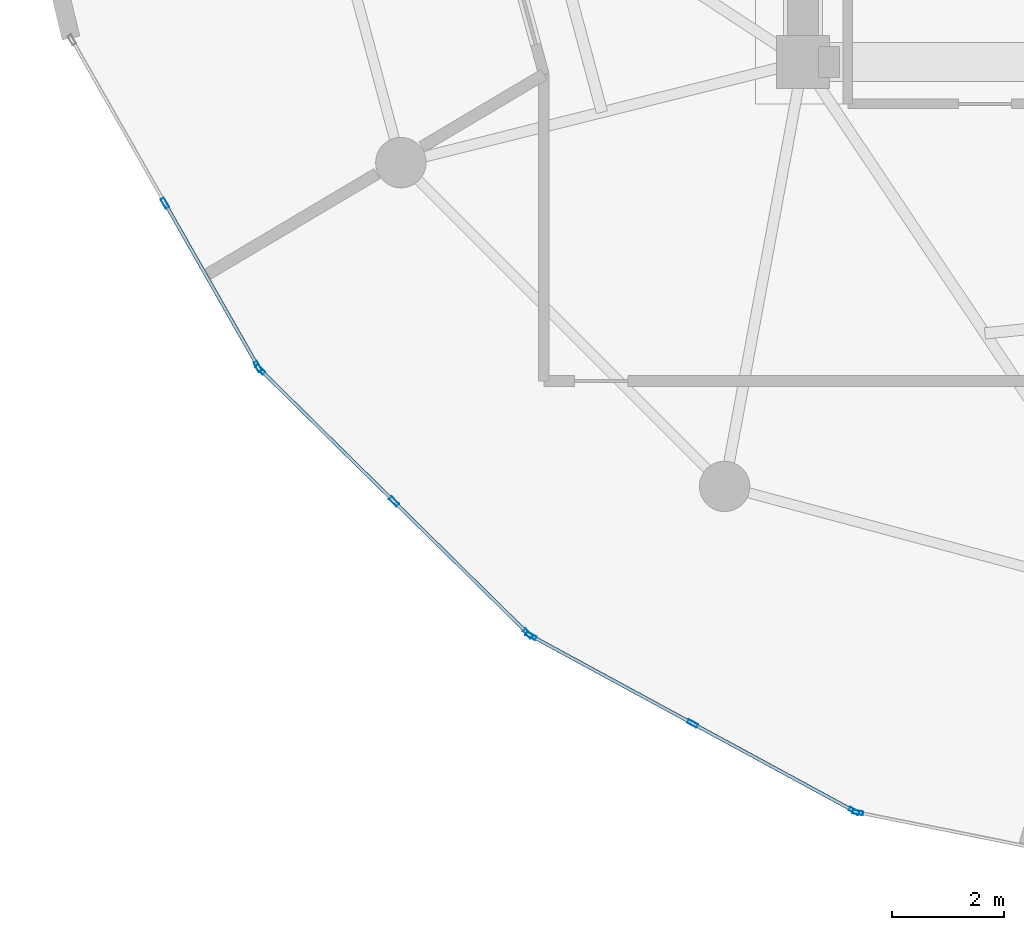
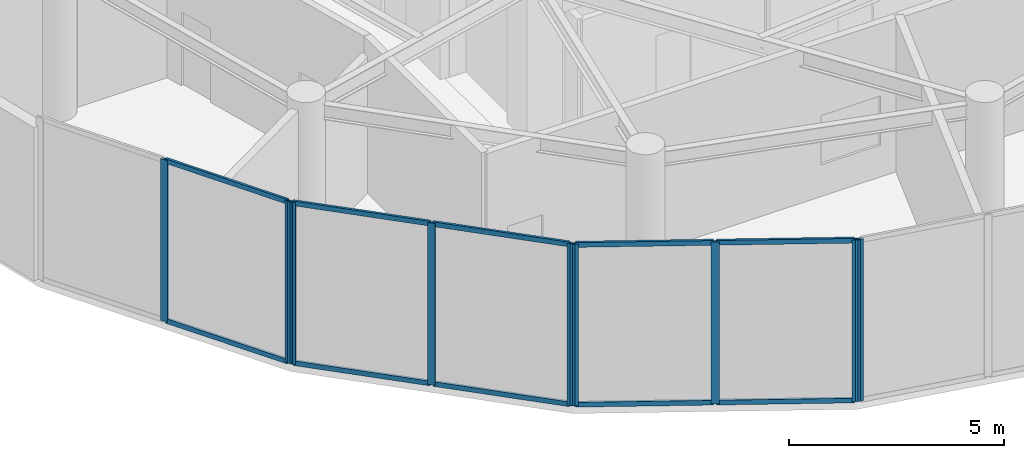
# One storey, part 2 of 23: 19 members, 4 elements without a shape of their own.
"""IFC4 building model written with IfcOpenShell, lengths in metres."""

from ifc_helpers import new_model, si_unit, direction, frame, origin, origin_2d, place, context, subcontext, project, spatial, hollow_rectangle, extrude, source, transform, mapped, material, layer, layer_set, material_profile, profile_set, type_object, element, aggregate, save


model = new_model("IFC4")

# Units and contexts
model_context = context("Model", 3, precision=1e-05, world=origin(), true_north=direction((0.0, 1.0)))
body_context = subcontext(model_context, "Body", "Model", "MODEL_VIEW")
ifc_project = project(units=[si_unit("LENGTHUNIT", "METRE"), si_unit("AREAUNIT", "SQUARE_METRE"), si_unit("VOLUMEUNIT", "CUBIC_METRE"), si_unit("PLANEANGLEUNIT", "RADIAN"), si_unit("MASSUNIT", "GRAM", prefix="KILO")], contexts=[model_context])

# Site, building, storey
site_placement = place(None, origin())
site = spatial("IfcSite", under=ifc_project, at=site_placement, CompositionType="ELEMENT")
building_placement = place(site_placement, origin())
building = spatial("IfcBuilding", under=site, at=building_placement, Name="Solvirekh Grand Hotel", CompositionType="ELEMENT")
storey_placement = place(building_placement, frame((0.0, 0.0, 168.60009765625)))
storey = spatial("IfcBuildingStorey", under=building, at=storey_placement, Name="L43", CompositionType="ELEMENT", Elevation=168.60009765625)

# Curtain wall, members
ifc_material = material(Name="Anodized Bronze Aluminium 6063-T6", Category="aluminium")
ifc_layer = layer(ifc_material, 0.18994140625)
ifc_layer_set = layer_set([ifc_layer], Name="Anodized Bronze Aluminium 6063-T6")
curtain_wall_type = type_object("IfcCurtainWallType", Name="CW_Sys5_SkyLobbyPanoramaCW", PredefinedType="NOTDEFINED", material=ifc_layer_set)
curtain_wall_1_placement = place(storey_placement, origin())
curtain_wall_1 = element("IfcCurtainWall", 1, at=curtain_wall_1_placement, inside=storey, type_object=curtain_wall_type, Name="L43 unitised bronze-glass curtain wall CW-L43-C15", PredefinedType="NOTDEFINED")
ifc_material_profile_1 = material_profile(ifc_material, hollow_rectangle(XDim=0.070068359375, YDim=0.18994140625, WallThickness=0.0048828125, at=origin_2d()), Name="ALU RHS 190X70X5")
ifc_profile_set_1 = profile_set([ifc_material_profile_1], Name="Anodized Bronze Aluminium 6063-T6")
member_type_1 = type_object("IfcMemberType", Name="CWMullion_Sys5", PredefinedType="MULLION", material=ifc_profile_set_1)
shared_shape_1 = source(origin(), body_context, "Body", "SweptSolid", [
    extrude(hollow_rectangle(XDim=0.070068359375, YDim=0.18994140625, WallThickness=0.0048828125, at=origin_2d()), origin(), (0.0, 0.0, 1.0), 4.599853515625),
])
member_1_placement = place(storey_placement, frame((-17.89794921875, -8.62353515625, 0.0), z_axis=(0.0, 0.0, 1.0), x_axis=(0.869112493472, 0.494614469755, 0.0)))
member_1 = element("IfcMember", 2, at=member_1_placement, type_object=member_type_1, Name="U05 mullion 2", PredefinedType="MULLION", context=body_context, shape_type="MappedRepresentation", body=[
    mapped(shared_shape_1, transform((0.0, 0.0, 0.0), x_axis=(1.0, 0.0, 0.0), y_axis=(0.0, 1.0, 0.0), z_axis=(0.0, 0.0, 1.0), scale=1.0)),
])
member_2_placement = place(storey_placement, frame((-16.2373046875, -11.54150390625, 0.0), z_axis=(0.0, 0.0, 1.0), x_axis=(0.869112493472, 0.494614469755, 0.0)))
member_2 = element("IfcMember", 3, at=member_2_placement, type_object=member_type_1, Name="U05 mullion 3", PredefinedType="MULLION", context=body_context, shape_type="MappedRepresentation", body=[
    mapped(shared_shape_1, transform((0.0, 0.0, 0.0), x_axis=(1.0, 0.0, 0.0), y_axis=(0.0, 1.0, 0.0), z_axis=(0.0, 0.0, 1.0), scale=1.0)),
])

curtain_wall_2_placement = place(storey_placement, origin())
curtain_wall_2 = element("IfcCurtainWall", 4, at=curtain_wall_2_placement, inside=storey, type_object=curtain_wall_type, Name="L43 unitised bronze-glass curtain wall CW-L43-C16", PredefinedType="NOTDEFINED")
member_3_placement = place(storey_placement, frame((-16.195068359375, -11.5966796875, 0.0), z_axis=(0.0, 0.0, 1.0), x_axis=(0.702152075347, 0.712027010082, 0.0)))
member_3 = element("IfcMember", 5, at=member_3_placement, type_object=member_type_1, Name="U05 mullion 1", PredefinedType="MULLION", context=body_context, shape_type="MappedRepresentation", body=[
    mapped(shared_shape_1, transform((0.0, 0.0, 0.0), x_axis=(1.0, 0.0, 0.0), y_axis=(0.0, 1.0, 0.0), z_axis=(0.0, 0.0, 1.0), scale=1.0)),
])
member_4_placement = place(storey_placement, frame((-13.804443359375, -13.9541015625, 0.0), z_axis=(0.0, 0.0, 1.0), x_axis=(0.702152075347, 0.712027010082, 0.0)))
member_4 = element("IfcMember", 6, at=member_4_placement, type_object=member_type_1, Name="U05 mullion 2", PredefinedType="MULLION", context=body_context, shape_type="MappedRepresentation", body=[
    mapped(shared_shape_1, transform((0.0, 0.0, 0.0), x_axis=(1.0, 0.0, 0.0), y_axis=(0.0, 1.0, 0.0), z_axis=(0.0, 0.0, 1.0), scale=1.0)),
])
member_5_placement = place(storey_placement, frame((-11.413818359375, -16.3115234375, 0.0), z_axis=(0.0, 0.0, 1.0), x_axis=(0.702152075347, 0.712027010082, 0.0)))
member_5 = element("IfcMember", 7, at=member_5_placement, type_object=member_type_1, Name="U05 mullion 3", PredefinedType="MULLION", context=body_context, shape_type="MappedRepresentation", body=[
    mapped(shared_shape_1, transform((0.0, 0.0, 0.0), x_axis=(1.0, 0.0, 0.0), y_axis=(0.0, 1.0, 0.0), z_axis=(0.0, 0.0, 1.0), scale=1.0)),
])

curtain_wall_3_placement = place(storey_placement, origin())
curtain_wall_3 = element("IfcCurtainWall", 8, at=curtain_wall_3_placement, inside=storey, type_object=curtain_wall_type, Name="L43 unitised bronze-glass curtain wall CW-L43-C17", PredefinedType="NOTDEFINED")
member_6_placement = place(storey_placement, frame((-11.358154296875, -16.352783203125, 0.0), z_axis=(0.0, 0.0, 1.0), x_axis=(0.476855778012, 0.878981550988, 0.0)))
member_6 = element("IfcMember", 9, at=member_6_placement, type_object=member_type_1, Name="U05 mullion 1", PredefinedType="MULLION", context=body_context, shape_type="MappedRepresentation", body=[
    mapped(shared_shape_1, transform((0.0, 0.0, 0.0), x_axis=(1.0, 0.0, 0.0), y_axis=(0.0, 1.0, 0.0), z_axis=(0.0, 0.0, 1.0), scale=1.0)),
])
member_7_placement = place(storey_placement, frame((-8.471923828125, -17.91845703125, 0.0), z_axis=(0.0, 0.0, 1.0), x_axis=(0.476855778012, 0.878981550988, 0.0)))
member_7 = element("IfcMember", 10, at=member_7_placement, type_object=member_type_1, Name="U05 mullion 2", PredefinedType="MULLION", context=body_context, shape_type="MappedRepresentation", body=[
    mapped(shared_shape_1, transform((0.0, 0.0, 0.0), x_axis=(1.0, 0.0, 0.0), y_axis=(0.0, 1.0, 0.0), z_axis=(0.0, 0.0, 1.0), scale=1.0)),
])
member_8_placement = place(storey_placement, frame((-5.585693359375, -19.484375, 0.0), z_axis=(0.0, 0.0, 1.0), x_axis=(0.476855778012, 0.878981550988, 0.0)))
member_8 = element("IfcMember", 11, at=member_8_placement, type_object=member_type_1, Name="U05 mullion 3", PredefinedType="MULLION", context=body_context, shape_type="MappedRepresentation", body=[
    mapped(shared_shape_1, transform((0.0, 0.0, 0.0), x_axis=(1.0, 0.0, 0.0), y_axis=(0.0, 1.0, 0.0), z_axis=(0.0, 0.0, 1.0), scale=1.0)),
])

# Curtain wall, member
curtain_wall_4_placement = place(storey_placement, origin())
curtain_wall_4 = element("IfcCurtainWall", 12, at=curtain_wall_4_placement, inside=storey, type_object=curtain_wall_type, Name="L43 unitised bronze-glass curtain wall CW-L43-C18", PredefinedType="NOTDEFINED")
member_9_placement = place(storey_placement, frame((-5.520751953125, -19.5078125, 0.0), z_axis=(0.0, 0.0, 1.0), x_axis=(0.196748202622, 0.980454050308, 0.0)))
member_9 = element("IfcMember", 13, at=member_9_placement, type_object=member_type_1, Name="U05 mullion 1", PredefinedType="MULLION", context=body_context, shape_type="MappedRepresentation", body=[
    mapped(shared_shape_1, transform((0.0, 0.0, 0.0), x_axis=(1.0, 0.0, 0.0), y_axis=(0.0, 1.0, 0.0), z_axis=(0.0, 0.0, 1.0), scale=1.0)),
])
aggregate(curtain_wall_4, [member_9])

# Member
ifc_material_profile_2 = material_profile(ifc_material, hollow_rectangle(XDim=0.06005859375, YDim=0.135009765625, WallThickness=0.00390625, at=origin_2d()), Name="ALU RHS 135X60X4")
ifc_profile_set_2 = profile_set([ifc_material_profile_2], Name="Anodized Bronze Aluminium 6063-T6")
member_type_2 = type_object("IfcMemberType", Name="CWTransom_Sys5", PredefinedType="USERDEFINED", material=ifc_profile_set_2)
shared_shape_2 = source(origin(), body_context, "Body", "SweptSolid", [
    extrude(hollow_rectangle(XDim=0.06005859375, YDim=0.135009765625, WallThickness=0.00390625, at=origin_2d()), origin(), (0.0, 0.0, 1.0), 3.28759765625),
])
member_10_placement = place(storey_placement, frame((-17.880615234375, -8.65380859375, 0.02978515625), z_axis=(0.494570675555, -0.869137415419, 0.0), x_axis=(0.869137415419, 0.494570675555, 0.0)))
member_10 = element("IfcMember", 14, at=member_10_placement, type_object=member_type_2, Name="U05 transom 2.1", ObjectType="TRANSOM", PredefinedType="USERDEFINED", context=body_context, shape_type="MappedRepresentation", body=[
    mapped(shared_shape_2, transform((0.0, 0.0, 0.0), x_axis=(1.0, 0.0, 0.0), y_axis=(0.0, 1.0, 0.0), z_axis=(0.0, 0.0, 1.0), scale=1.0)),
])

member_11_placement = place(storey_placement, frame((-17.880615234375, -8.65380859375, 4.56982421875), z_axis=(0.494570675555, -0.869137415419, 0.0), x_axis=(0.869137415419, 0.494570675555, 0.0)))
member_11 = element("IfcMember", 15, at=member_11_placement, type_object=member_type_2, Name="U05 transom 2.2", ObjectType="TRANSOM", PredefinedType="USERDEFINED", context=body_context, shape_type="MappedRepresentation", body=[
    mapped(shared_shape_2, transform((0.0, 0.0, 0.0), x_axis=(1.0, 0.0, 0.0), y_axis=(0.0, 1.0, 0.0), z_axis=(0.0, 0.0, 1.0), scale=1.0)),
])

aggregate(curtain_wall_1, [member_1, member_2, member_10, member_11])

member_12_placement = place(storey_placement, frame((-16.170166015625, -11.62109375, 0.02978515625), z_axis=(0.712027986109, -0.702151085592, 0.0), x_axis=(0.702151085592, 0.712027986109, 0.0)))
member_12 = element("IfcMember", 16, at=member_12_placement, type_object=member_type_2, Name="U05 transom 1.1", ObjectType="TRANSOM", PredefinedType="USERDEFINED", context=body_context, shape_type="MappedRepresentation", body=[
    mapped(shared_shape_2, transform((0.0, 0.0, 0.0), x_axis=(1.0, 0.0, 0.0), y_axis=(0.0, 1.0, 0.0), z_axis=(0.0, 0.0, 1.0), scale=1.0)),
])

member_13_placement = place(storey_placement, frame((-16.170166015625, -11.62109375, 4.56982421875), z_axis=(0.712027986109, -0.702151085592, 0.0), x_axis=(0.702151085592, 0.712027986109, 0.0)))
member_13 = element("IfcMember", 17, at=member_13_placement, type_object=member_type_2, Name="U05 transom 1.2", ObjectType="TRANSOM", PredefinedType="USERDEFINED", context=body_context, shape_type="MappedRepresentation", body=[
    mapped(shared_shape_2, transform((0.0, 0.0, 0.0), x_axis=(1.0, 0.0, 0.0), y_axis=(0.0, 1.0, 0.0), z_axis=(0.0, 0.0, 1.0), scale=1.0)),
])

member_14_placement = place(storey_placement, frame((-13.779541015625, -13.978515625, 0.02978515625), z_axis=(0.712027986109, -0.702151085592, 0.0), x_axis=(0.702151085592, 0.712027986109, 0.0)))
member_14 = element("IfcMember", 18, at=member_14_placement, type_object=member_type_2, Name="U05 transom 2.1", ObjectType="TRANSOM", PredefinedType="USERDEFINED", context=body_context, shape_type="MappedRepresentation", body=[
    mapped(shared_shape_2, transform((0.0, 0.0, 0.0), x_axis=(1.0, 0.0, 0.0), y_axis=(0.0, 1.0, 0.0), z_axis=(0.0, 0.0, 1.0), scale=1.0)),
])

member_15_placement = place(storey_placement, frame((-13.779541015625, -13.978515625, 4.56982421875), z_axis=(0.712027986109, -0.702151085592, 0.0), x_axis=(0.702151085592, 0.712027986109, 0.0)))
member_15 = element("IfcMember", 19, at=member_15_placement, type_object=member_type_2, Name="U05 transom 2.2", ObjectType="TRANSOM", PredefinedType="USERDEFINED", context=body_context, shape_type="MappedRepresentation", body=[
    mapped(shared_shape_2, transform((0.0, 0.0, 0.0), x_axis=(1.0, 0.0, 0.0), y_axis=(0.0, 1.0, 0.0), z_axis=(0.0, 0.0, 1.0), scale=1.0)),
])

aggregate(curtain_wall_2, [member_3, member_4, member_5, member_12, member_13, member_14, member_15])

shared_shape_3 = source(origin(), body_context, "Body", "SweptSolid", [
    extrude(hollow_rectangle(XDim=0.06005859375, YDim=0.135009765625, WallThickness=0.00390625, at=origin_2d()), origin(), (0.0, 0.0, 1.0), 3.213623046875),
])
member_16_placement = place(storey_placement, frame((-11.327392578125, -16.369384765625, 0.02978515625), z_axis=(0.878976267463, -0.476865516929, 0.0), x_axis=(0.476865516929, 0.878976267463, 0.0)))
member_16 = element("IfcMember", 20, at=member_16_placement, type_object=member_type_2, Name="U05 transom 1.1", ObjectType="TRANSOM", PredefinedType="USERDEFINED", context=body_context, shape_type="MappedRepresentation", body=[
    mapped(shared_shape_3, transform((0.0, 0.0, 0.0), x_axis=(1.0, 0.0, 0.0), y_axis=(0.0, 1.0, 0.0), z_axis=(0.0, 0.0, 1.0), scale=1.0)),
])

member_17_placement = place(storey_placement, frame((-11.327392578125, -16.369384765625, 4.56982421875), z_axis=(0.878976267463, -0.476865516929, 0.0), x_axis=(0.476865516929, 0.878976267463, 0.0)))
member_17 = element("IfcMember", 21, at=member_17_placement, type_object=member_type_2, Name="U05 transom 1.2", ObjectType="TRANSOM", PredefinedType="USERDEFINED", context=body_context, shape_type="MappedRepresentation", body=[
    mapped(shared_shape_3, transform((0.0, 0.0, 0.0), x_axis=(1.0, 0.0, 0.0), y_axis=(0.0, 1.0, 0.0), z_axis=(0.0, 0.0, 1.0), scale=1.0)),
])

member_18_placement = place(storey_placement, frame((-8.441162109375, -17.935302734375, 0.02978515625), z_axis=(0.879008109869, -0.476806819147, 0.0), x_axis=(0.476806819147, 0.879008109869, 0.0)))
member_18 = element("IfcMember", 22, at=member_18_placement, type_object=member_type_2, Name="U05 transom 2.1", ObjectType="TRANSOM", PredefinedType="USERDEFINED", context=body_context, shape_type="MappedRepresentation", body=[
    mapped(shared_shape_3, transform((0.0, 0.0, 0.0), x_axis=(1.0, 0.0, 0.0), y_axis=(0.0, 1.0, 0.0), z_axis=(0.0, 0.0, 1.0), scale=1.0)),
])

member_19_placement = place(storey_placement, frame((-8.441162109375, -17.935302734375, 4.56982421875), z_axis=(0.879008109869, -0.476806819147, 0.0), x_axis=(0.476806819147, 0.879008109869, 0.0)))
member_19 = element("IfcMember", 23, at=member_19_placement, type_object=member_type_2, Name="U05 transom 2.2", ObjectType="TRANSOM", PredefinedType="USERDEFINED", context=body_context, shape_type="MappedRepresentation", body=[
    mapped(shared_shape_3, transform((0.0, 0.0, 0.0), x_axis=(1.0, 0.0, 0.0), y_axis=(0.0, 1.0, 0.0), z_axis=(0.0, 0.0, 1.0), scale=1.0)),
])

aggregate(curtain_wall_3, [member_6, member_7, member_8, member_16, member_17, member_18, member_19])

save(model, "model.ifc")
